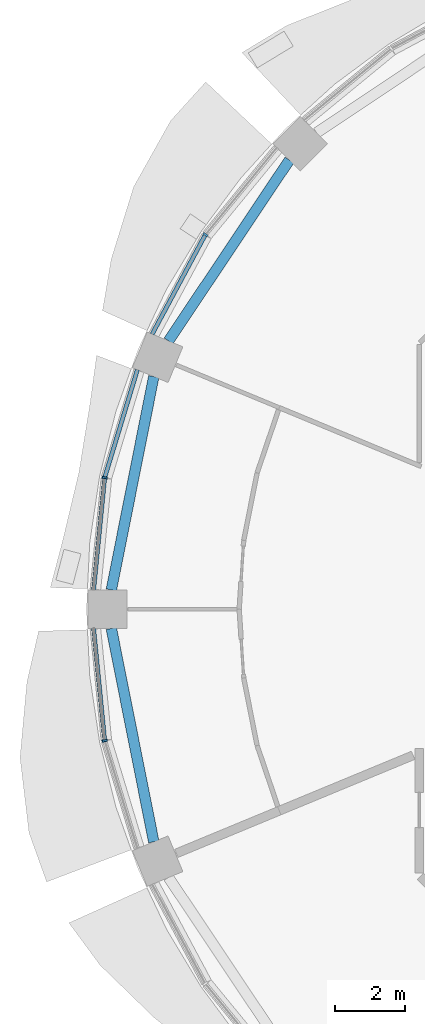
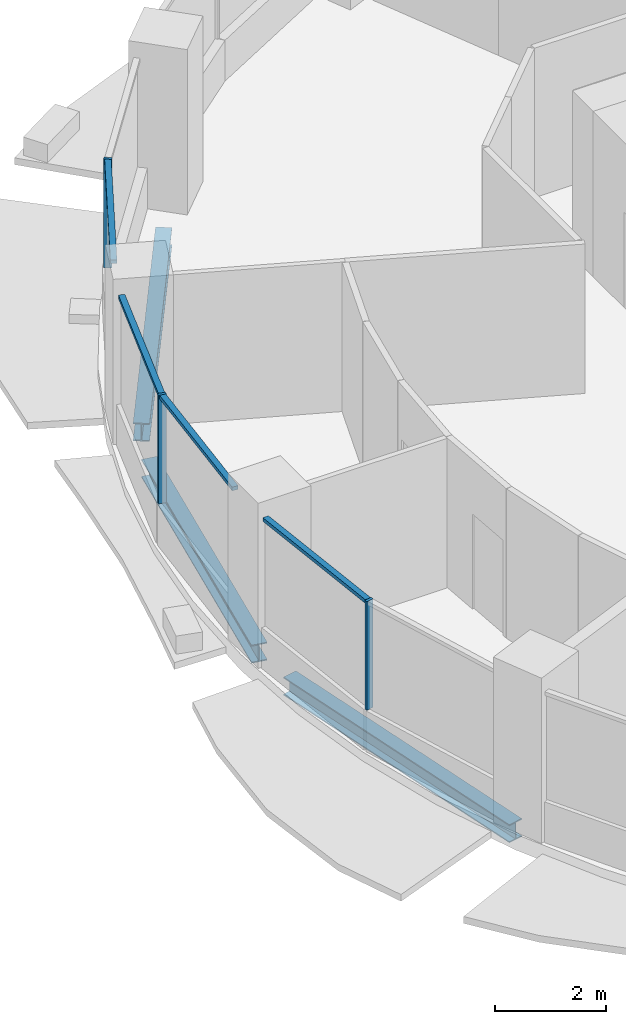
# One storey, part 4 of 15: 7 members, 3 beams, 3 elements without a shape of their own.
"""IFC4 building model written with IfcOpenShell, lengths in metres."""

from ifc_helpers import new_model, si_unit, direction, frame, origin, origin_2d, place, context, subcontext, project, spatial, rectangle, i_section, extrude, material, material_profile, profile_set, type_object, element, aggregate, save


model = new_model("IFC4")

# Units and contexts
model_context = context("Model", 3, precision=1e-05, world=origin(), true_north=direction((0.0, 1.0)))
body_context = subcontext(model_context, "Body", "Model", "MODEL_VIEW")
ifc_project = project(units=[si_unit("LENGTHUNIT", "METRE"), si_unit("AREAUNIT", "SQUARE_METRE"), si_unit("VOLUMEUNIT", "CUBIC_METRE"), si_unit("PLANEANGLEUNIT", "RADIAN"), si_unit("MASSUNIT", "GRAM", prefix="KILO")], contexts=[model_context])

# Site, building, storey
site_placement = place(None, origin())
site = spatial("IfcSite", under=ifc_project, at=site_placement, CompositionType="ELEMENT")
building_placement = place(site_placement, origin())
building = spatial("IfcBuilding", under=site, at=building_placement, Name="Polderwave Tower", CompositionType="ELEMENT")
storey_placement = place(building_placement, frame((0.0, 0.0, 83.699951171875)))
storey = spatial("IfcBuildingStorey", under=building, at=storey_placement, Name="L21", CompositionType="ELEMENT", Elevation=83.699951171875)

# Curtain wall, member
ifc_material_1 = material(Name="Aluminium 6063-T6 and glass", Category="aluminium")
curtain_wall_type = type_object("IfcCurtainWallType", Name="Growing floor ribbon glazing wall", PredefinedType="NOTDEFINED", material=ifc_material_1)
curtain_wall_1_placement = place(storey_placement, origin())
curtain_wall_1 = element("IfcCurtainWall", 1, at=curtain_wall_1_placement, inside=storey, type_object=curtain_wall_type, Name="CW2 L21 06", PredefinedType="NOTDEFINED")
ifc_material_2 = material(Name="Aluminium 6063-T6", Category="aluminium")
ifc_material_profile_1 = material_profile(ifc_material_2, rectangle(XDim=0.14990234375, YDim=0.06005859375, at=origin_2d()), Name="AL 60x150")
ifc_profile_set_1 = profile_set([ifc_material_profile_1], Name="Aluminium 6063-T6")
member_type_1 = type_object("IfcMemberType", Name="Growing floor ribbon glazing mullion 60x150", PredefinedType="MULLION", material=ifc_profile_set_1)
member_1_placement = place(storey_placement, frame((-15.964111328125, 10.6669921875, 0.900146484375), z_axis=(0.0, 0.0, 1.0), x_axis=(0.831444400469, -0.555607963342, 0.0)))
member_1 = element("IfcMember", 2, at=member_1_placement, type_object=member_type_1, Name="CW2 mullion 1", PredefinedType="MULLION", context=body_context, shape_type="SweptSolid", body=[
    extrude(rectangle(XDim=0.14990234375, YDim=0.06005859375, at=origin_2d()), origin(), (0.0, 0.0, 1.0), 2.39990234375),
])

curtain_wall_2_placement = place(storey_placement, origin())
curtain_wall_2 = element("IfcCurtainWall", 3, at=curtain_wall_2_placement, inside=storey, type_object=curtain_wall_type, Name="CW2 L21 07", PredefinedType="NOTDEFINED")
member_2_placement = place(storey_placement, frame((-18.8310546875, 3.74609375, 0.900146484375), z_axis=(0.0, 0.0, 1.0), x_axis=(0.980783918392, -0.195097169184, 0.0)))
member_2 = element("IfcMember", 4, at=member_2_placement, type_object=member_type_1, Name="CW2 mullion 1", PredefinedType="MULLION", context=body_context, shape_type="SweptSolid", body=[
    extrude(rectangle(XDim=0.14990234375, YDim=0.06005859375, at=origin_2d()), origin(), (0.0, 0.0, 1.0), 2.39990234375),
])

curtain_wall_3_placement = place(storey_placement, origin())
curtain_wall_3 = element("IfcCurtainWall", 5, at=curtain_wall_3_placement, inside=storey, type_object=curtain_wall_type, Name="CW2 L21 08", PredefinedType="NOTDEFINED")
member_3_placement = place(storey_placement, frame((-18.8310546875, -3.74609375, 0.900146484375), z_axis=(0.0, 0.0, 1.0), x_axis=(0.980783918392, 0.195097169184, 0.0)))
member_3 = element("IfcMember", 6, at=member_3_placement, type_object=member_type_1, Name="CW2 mullion 1", PredefinedType="MULLION", context=body_context, shape_type="SweptSolid", body=[
    extrude(rectangle(XDim=0.14990234375, YDim=0.06005859375, at=origin_2d()), origin(), (0.0, 0.0, 1.0), 2.39990234375),
])

# Member
ifc_material_profile_2 = material_profile(ifc_material_2, rectangle(XDim=0.1201171875, YDim=0.080078125, at=origin_2d()), Name="AL 80x120")
ifc_profile_set_2 = profile_set([ifc_material_profile_2], Name="Aluminium 6063-T6")
member_type_2 = type_object("IfcMemberType", Name="Growing floor ribbon glazing transom 80x120", PredefinedType="USERDEFINED", material=ifc_profile_set_2)
member_4_placement = place(storey_placement, frame((-15.97802734375, 10.640380859375, 3.260009765625), z_axis=(-0.471512085827, -0.881859599323, 0.0), x_axis=(0.881859599323, -0.471512085827, 0.0)))
member_4 = element("IfcMember", 7, at=member_4_placement, type_object=member_type_2, Name="CW2 transom 2", ObjectType="TRANSOM", PredefinedType="USERDEFINED", context=body_context, shape_type="SweptSolid", body=[
    extrude(rectangle(XDim=0.1201171875, YDim=0.080078125, at=origin_2d()), origin(), (0.0, 0.0, 1.0), 3.18115234375),
])

aggregate(curtain_wall_1, [member_1, member_4])

member_5_placement = place(storey_placement, frame((-17.89892578125, 6.819091796875, 3.260009765625), z_axis=(-0.290233155766, -0.95695596309, 0.0), x_axis=(0.95695596309, -0.290233155766, 0.0)))
member_5 = element("IfcMember", 8, at=member_5_placement, type_object=member_type_2, Name="CW2 transom 1", ObjectType="TRANSOM", PredefinedType="USERDEFINED", context=body_context, shape_type="SweptSolid", body=[
    extrude(rectangle(XDim=0.1201171875, YDim=0.080078125, at=origin_2d()), origin(), (0.0, 0.0, 1.0), 3.181396484375),
])

member_6_placement = place(storey_placement, frame((-18.833984375, 3.716064453125, 3.260009765625), z_axis=(-0.098075167681, -0.995179009769, 0.0), x_axis=(0.995179009769, -0.098075167681, 0.0)))
member_6 = element("IfcMember", 9, at=member_6_placement, type_object=member_type_2, Name="CW2 transom 2", ObjectType="TRANSOM", PredefinedType="USERDEFINED", context=body_context, shape_type="SweptSolid", body=[
    extrude(rectangle(XDim=0.1201171875, YDim=0.080078125, at=origin_2d()), origin(), (0.0, 0.0, 1.0), 3.181396484375),
])

aggregate(curtain_wall_2, [member_2, member_5, member_6])

member_7_placement = place(storey_placement, frame((-19.14599609375, -0.550048828125, 3.260009765625), z_axis=(0.098075167681, -0.995179009769, 0.0), x_axis=(0.995179009769, 0.098075167681, 0.0)))
member_7 = element("IfcMember", 10, at=member_7_placement, type_object=member_type_2, Name="CW2 transom 1", ObjectType="TRANSOM", PredefinedType="USERDEFINED", context=body_context, shape_type="SweptSolid", body=[
    extrude(rectangle(XDim=0.1201171875, YDim=0.080078125, at=origin_2d()), origin(), (0.0, 0.0, 1.0), 3.181396484375),
])

aggregate(curtain_wall_3, [member_3, member_7])

# Beams
ifc_material_3 = material(Name="Steel S355", Category="steel")
ifc_material_profile_3 = material_profile(ifc_material_3, i_section(OverallWidth=0.300048828125, OverallDepth=0.39990234375, WebThickness=0.013427734375, FlangeThickness=0.02392578125, at=origin_2d()), Name="HE 400 B")
ifc_profile_set_3 = profile_set([ifc_material_profile_3], Name="Steel S355")
beam_type = type_object("IfcBeamType", Name="RING BEAM HE 400 B", PredefinedType="BEAM", material=ifc_profile_set_3)
for number, where, z_axis, x_axis, name in (
    (11, (-13.56982421875, 12.7919921875, -0.550048828125), (-0.555573051966, -0.831467728736, 0.0), (0.831467728736, -0.555573051966, 0.0), "ST-RB-L21-06"),
    (12, (-17.43212890625, 6.625244140625, -0.550048828125), (-0.195100355977, -0.980783284471, 0.0), (0.980783284471, -0.195100355977, 0.0), "ST-RB-L21-07"),
    (13, (-18.640625, -0.550048828125, -0.550048828125), (0.195100355977, -0.980783284471, 0.0), (0.980783284471, 0.195100355977, 0.0), "ST-RB-L21-08"),
):
    element("IfcBeam", number, at=place(storey_placement, frame(where, z_axis=z_axis, x_axis=x_axis)), inside=storey, type_object=beam_type, Name=name, PredefinedType="BEAM", context=body_context, shape_type="SweptSolid", body=[
        extrude(i_section(OverallWidth=0.300048828125, OverallDepth=0.39990234375, WebThickness=0.013427734375, FlangeThickness=0.02392578125, at=origin_2d()), origin(), (0.0, 0.0, 1.0), 6.1943359375),
    ])

save(model, "model.ifc")
